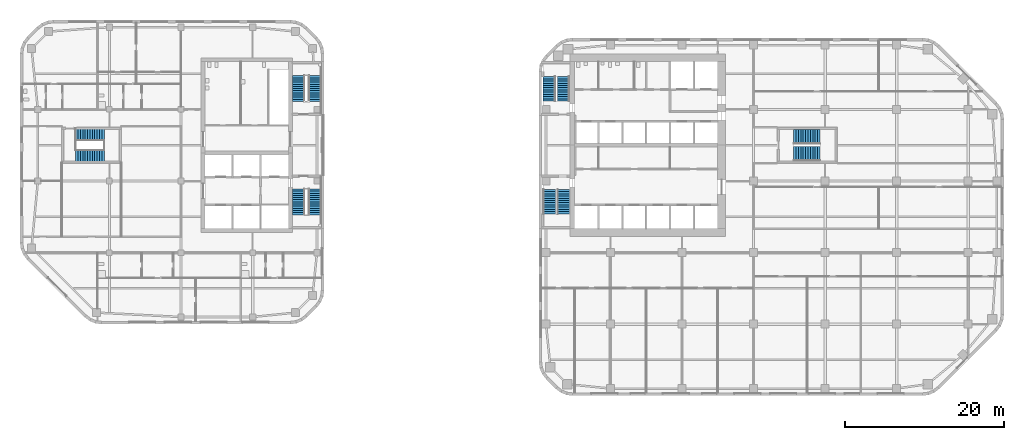
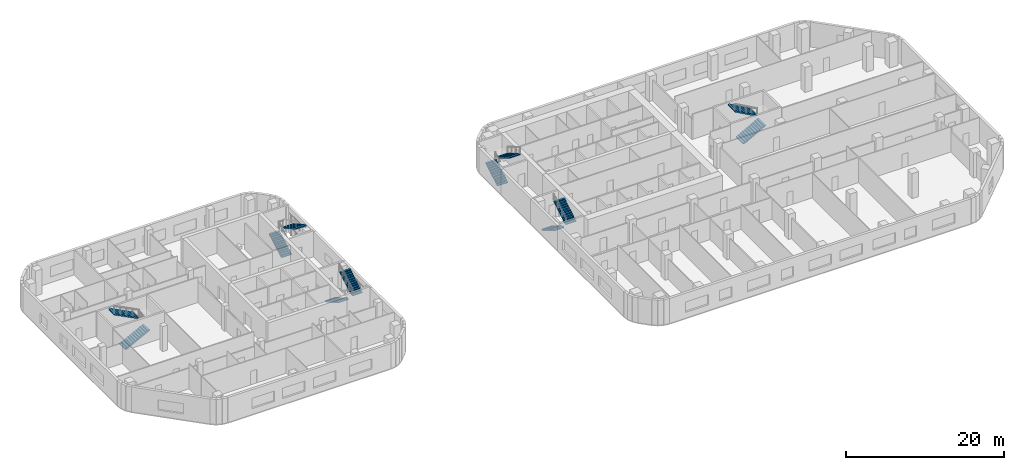
# One storey, part 13 of 16: 12 stair flights, 6 elements without a shape of their own.
"""IFC4 building model written with IfcOpenShell, lengths in metres."""

import ifcopenshell
import ifcopenshell.guid

model = None  # the IFC model being written
_history = None  # IfcOwnerHistory: only IFC2X3 demands one
_inside = {}  # id of a spatial element -> (the spatial element, [elements in it])
_under = {}  # id of a project, library or spatial element -> (it, [spatial elements below it])
_declared = {}  # id of a project -> (the project, [libraries it declares])
_typed = {}  # id of a type object -> (the type object, [elements of that type])
_made_of = {}  # id of a material, layer set ... -> (it, [elements and type objects made of it])


def new_model(schema):
    """Start an empty IFC model of exactly this schema.

    Asked for "IFC4X3", IfcOpenShell would pick the latest addendum, in which some entities
    have other attributes; the version numbers below select the first issue.
    IFC2X3 requires an IfcOwnerHistory on every rooted entity: one is made here for all.
    """
    global model, _history
    if schema == "IFC4X3":
        model = ifcopenshell.file(schema_version=(4, 3, 0, 0))
    else:
        model = ifcopenshell.file(schema=schema)
    _inside.clear()
    _under.clear()
    _declared.clear()
    _typed.clear()
    _made_of.clear()
    _history = None
    if model.schema == "IFC2X3":
        org = make("IfcOrganization", Name="unknown")
        user = make(
            "IfcPersonAndOrganization",
            ThePerson=make("IfcPerson", FamilyName="unknown"),
            TheOrganization=org,
        )
        app = make(
            "IfcApplication",
            ApplicationDeveloper=org,
            Version="unknown",
            ApplicationFullName="unknown",
            ApplicationIdentifier="unknown",
        )
        _history = make(
            "IfcOwnerHistory",
            OwningUser=user,
            OwningApplication=app,
            ChangeAction="ADDED",
            CreationDate=0,
        )
    return model


def make(cls, **values):
    """One entity of the class cls with the attributes given. An attribute that is None is left unset."""
    return model.create_entity(
        cls, **{name: value for name, value in values.items() if value is not None}
    )


def rooted(cls, **values):
    """An entity with a GlobalId (a new one), such as an element, a storey or a relation."""
    return make(cls, GlobalId=ifcopenshell.guid.new(), OwnerHistory=_history, **values)


def si_unit(unit_type, name, prefix=None):
    """IfcSIUnit, for example si_unit("LENGTHUNIT", "METRE", prefix="MILLI")."""
    return make("IfcSIUnit", UnitType=unit_type, Prefix=prefix, Name=name)


def assignment(units):
    """IfcUnitAssignment: the units of a project."""
    return None if units is None else make("IfcUnitAssignment", Units=units)


def point(xyz):
    """IfcCartesianPoint."""
    return None if xyz is None else make("IfcCartesianPoint", Coordinates=xyz)


def direction(xyz):
    """IfcDirection."""
    return None if xyz is None else make("IfcDirection", DirectionRatios=xyz)


def frame(location, z_axis=None, x_axis=None):
    """IfcAxis2Placement3D, a coordinate frame: its origin and axes. An axis left out is left unset."""
    return make(
        "IfcAxis2Placement3D",
        Location=point(location),
        Axis=direction(z_axis),
        RefDirection=direction(x_axis),
    )


def origin():
    """The frame at (0, 0, 0) with its axes left unset."""
    return frame((0.0, 0.0, 0.0))


def place(relative_to, where):
    """IfcLocalPlacement: puts the frame where relative to a parent placement (None: the world)."""
    return make(
        "IfcLocalPlacement", PlacementRelTo=relative_to, RelativePlacement=where
    )


def context(
    kind, dimensions, precision=None, world=None, true_north=None, identifier=None
):
    """IfcGeometricRepresentationContext, for example the 3D "Model" context."""
    return make(
        "IfcGeometricRepresentationContext",
        ContextIdentifier=identifier,
        ContextType=kind,
        CoordinateSpaceDimension=dimensions,
        Precision=precision,
        WorldCoordinateSystem=world,
        TrueNorth=true_north,
    )


def subcontext(parent, identifier, kind, view, scale=None):
    """IfcGeometricRepresentationSubContext, for example "Body" below "Model"."""
    return make(
        "IfcGeometricRepresentationSubContext",
        ContextIdentifier=identifier,
        ContextType=kind,
        ParentContext=parent,
        TargetScale=scale,
        TargetView=view,
    )


def project(units=None, contexts=None):
    """IfcProject with its units and contexts."""
    return rooted(
        "IfcProject",
        Name="project",
        RepresentationContexts=contexts,
        UnitsInContext=assignment(units),
    )


def spatial(cls, under=None, at=None, **own):
    """A site, building, storey or space (cls), placed at a placement, below another one or the project."""
    s = rooted(cls, ObjectPlacement=at, **own)
    if under is not None:
        _under.setdefault(under.id(), (under, []))[1].append(s)
    return s


def polyline(points):
    """IfcPolyline through the points."""
    return make("IfcPolyline", Points=[point(p) for p in points])


def outline(outer, holes=None, kind="AREA"):
    """IfcArbitraryClosedProfileDef: a profile drawn as a closed curve; with holes, ...WithVoids."""
    if holes is None:
        return make("IfcArbitraryClosedProfileDef", ProfileType=kind, OuterCurve=outer)
    return make(
        "IfcArbitraryProfileDefWithVoids",
        ProfileType=kind,
        OuterCurve=outer,
        InnerCurves=holes,
    )


def extrude(swept, where, along, depth):
    """IfcExtrudedAreaSolid: the profile swept, set in the frame where, extruded along a direction by depth."""
    return make(
        "IfcExtrudedAreaSolid",
        SweptArea=swept,
        Position=where,
        ExtrudedDirection=direction(along),
        Depth=depth,
    )


def shape(context_of_items, identifier, shape_type, items):
    """IfcShapeRepresentation: the items that make up one representation, for example the "Body"."""
    return make(
        "IfcShapeRepresentation",
        ContextOfItems=context_of_items,
        RepresentationIdentifier=identifier,
        RepresentationType=shape_type,
        Items=items,
    )


def material(Name=None, Category=None):
    """IfcMaterial."""
    return make("IfcMaterial", Name=Name, Category=Category)


def made_of(thing, what):
    """Note that an element or type object is made of a material, layer set ...; save() writes the relation."""
    if what is not None:
        _made_of.setdefault(what.id(), (what, []))[1].append(thing)
    return thing


def type_object(cls, material=None, **own):
    """A type object (cls), such as IfcWallType, which elements share."""
    return made_of(rooted(cls, **own), material)


def element(
    cls,
    number,
    at=None,
    inside=None,
    cuts=None,
    type_object=None,
    material=None,
    context=None,
    identifier="Body",
    shape_type=None,
    held_by="IfcProductDefinitionShape",
    body=None,
    shapes=None,
    **own,
):
    """One element of the class cls, such as IfcWall. Its Tag is "e" and its number.

    at: its placement. inside: the storey or other place that contains it. cuts: it is an
    opening in that element (IfcRelVoidsElement). A single representation is given by context,
    identifier, shape_type and body (its items); several are given by shapes. held_by: the class
    of the entity that holds the representations. save() writes the other relations.
    """
    e = rooted(cls, Tag="e%d" % number, ObjectPlacement=at, **own)
    if body is not None:
        shapes = [shape(context, identifier, shape_type, body)]
    if shapes is not None:
        e.Representation = make(held_by, Representations=shapes)
    if inside is not None:
        _inside.setdefault(inside.id(), (inside, []))[1].append(e)
    if cuts is not None:
        rooted(
            "IfcRelVoidsElement", RelatingBuildingElement=cuts, RelatedOpeningElement=e
        )
    if type_object is not None:
        _typed.setdefault(type_object.id(), (type_object, []))[1].append(e)
    return made_of(e, material)


def aggregate(whole, parts):
    """IfcRelAggregates: a whole, such as a stair, and the parts it consists of."""
    return rooted("IfcRelAggregates", RelatingObject=whole, RelatedObjects=parts)


def save(model, path):
    """Write the relations noted so far, then the file.

    IfcRelAggregates (storeys below a building ...), IfcRelContainedInSpatialStructure (elements
    in a storey), IfcRelDefinesByType, IfcRelAssociatesMaterial and IfcRelDeclares: one each for
    every whole, place, type object, material and project.
    """
    for whole, parts in _under.values():
        aggregate(whole, parts)
    for where, things in _inside.values():
        rooted(
            "IfcRelContainedInSpatialStructure",
            RelatedElements=things,
            RelatingStructure=where,
        )
    for kind, things in _typed.values():
        rooted("IfcRelDefinesByType", RelatedObjects=things, RelatingType=kind)
    for what, things in _made_of.values():
        rooted("IfcRelAssociatesMaterial", RelatedObjects=things, RelatingMaterial=what)
    for by, libraries in _declared.values():
        rooted("IfcRelDeclares", RelatingContext=by, RelatedDefinitions=libraries)
    model.write(path)


model = new_model("IFC4")

# Units and contexts
model_context = context("Model", 3, precision=1e-05, world=origin(), true_north=direction((0.0, 1.0)))
body_context = subcontext(model_context, "Body", "Model", "MODEL_VIEW")
ifc_project = project(units=[si_unit("LENGTHUNIT", "METRE"), si_unit("AREAUNIT", "SQUARE_METRE"), si_unit("VOLUMEUNIT", "CUBIC_METRE"), si_unit("PLANEANGLEUNIT", "RADIAN"), si_unit("MASSUNIT", "GRAM", prefix="KILO")], contexts=[model_context])

# Site, building, storey
site_placement = place(None, origin())
site = spatial("IfcSite", under=ifc_project, at=site_placement, CompositionType="ELEMENT")
building_placement = place(site_placement, origin())
building = spatial("IfcBuilding", under=site, at=building_placement, Name="Cinnabar Reach Civic Tower", CompositionType="ELEMENT")
storey_placement = place(building_placement, frame((0.0, 0.0, 83.0)))
storey = spatial("IfcBuildingStorey", under=building, at=storey_placement, Name="L19", CompositionType="ELEMENT", Elevation=83.0)

# Stair, stair flights
ifc_material_1 = material(Name="Concrete C40/50", Category="concrete")
stair_type_1 = type_object("IfcStairType", Name="T1 Exit stair, half-turn", PredefinedType="HALF_TURN_STAIR", material=ifc_material_1)
stair_1_placement = place(storey_placement, origin())
stair_1 = element("IfcStair", 1, at=stair_1_placement, inside=storey, type_object=stair_type_1, Name="Stair T1-S1", PredefinedType="HALF_TURN_STAIR")
stair_flight_type_1 = type_object("IfcStairFlightType", Name="T1 Stair flight, concrete", PredefinedType="STRAIGHT", material=ifc_material_1)
stair_flight_1_placement = place(storey_placement, frame((1.3125, 25.95, 0.0), z_axis=(0.0, 0.0, 1.0), x_axis=(0.0, -1.0, 0.0)))
stair_flight_1 = element("IfcStairFlight", 2, at=stair_flight_1_placement, type_object=stair_flight_type_1, Name="T1-S1 flight 1", NumberOfRisers=12, NumberOfTreads=11, PredefinedType="STRAIGHT", RiserHeight=0.166666667, TreadLength=0.28, context=body_context, shape_type="SweptSolid", body=[
    extrude(outline(polyline([(0.0, 0.0), (0.0, 0.1667), (0.28, 0.1667), (0.28, 0.3333), (0.56, 0.3333), (0.56, 0.5), (0.84, 0.5), (0.84, 0.6667), (1.12, 0.6667), (1.12, 0.8333), (1.4, 0.8333), (1.4, 1.0), (1.68, 1.0), (1.68, 1.1667), (1.96, 1.1667), (1.96, 1.3333), (2.24, 1.3333), (2.24, 1.5), (2.52, 1.5), (2.52, 1.6667), (2.8, 1.6667), (2.8, 1.8333), (3.08, 1.8333), (3.08, 2.0), (3.08, 1.6588), (0.2933, 0.0), (0.0, 0.0)])), frame((0.0, 0.7625, 0.0), z_axis=(0.0, -1.0, 0.0), x_axis=(1.0, 0.0, 0.0)), (0.0, 0.0, 1.0), 1.525),
])
stair_flight_2_placement = place(storey_placement, frame((3.0875, 22.87, 2.0), z_axis=(0.0, 0.0, 1.0), x_axis=(0.0, 1.0, 0.0)))
stair_flight_2 = element("IfcStairFlight", 3, at=stair_flight_2_placement, type_object=stair_flight_type_1, Name="T1-S1 flight 2", NumberOfRisers=12, NumberOfTreads=11, PredefinedType="STRAIGHT", RiserHeight=0.166666667, TreadLength=0.28, context=body_context, shape_type="SweptSolid", body=[
    extrude(outline(polyline([(0.0, 0.0), (0.0, 0.1667), (0.28, 0.1667), (0.28, 0.3333), (0.56, 0.3333), (0.56, 0.5), (0.84, 0.5), (0.84, 0.6667), (1.12, 0.6667), (1.12, 0.8333), (1.4, 0.8333), (1.4, 1.0), (1.68, 1.0), (1.68, 1.1667), (1.96, 1.1667), (1.96, 1.3333), (2.24, 1.3333), (2.24, 1.5), (2.52, 1.5), (2.52, 1.6667), (2.8, 1.6667), (2.8, 1.8333), (3.08, 1.8333), (3.08, 2.0), (3.08, 1.6588), (0.2933, 0.0), (0.0, 0.0)])), frame((0.0, 0.7625, 0.0), z_axis=(0.0, -1.0, 0.0), x_axis=(1.0, 0.0, 0.0)), (0.0, 0.0, 1.0), 1.525),
])
aggregate(stair_1, [stair_flight_1, stair_flight_2])

stair_2_placement = place(storey_placement, origin())
stair_2 = element("IfcStair", 4, at=stair_2_placement, inside=storey, type_object=stair_type_1, Name="Stair T1-S2", PredefinedType="HALF_TURN_STAIR")
stair_flight_3_placement = place(storey_placement, frame((1.3125, 37.05, 0.0), z_axis=(0.0, 0.0, 1.0), x_axis=(0.0, 1.0, 0.0)))
stair_flight_3 = element("IfcStairFlight", 5, at=stair_flight_3_placement, type_object=stair_flight_type_1, Name="T1-S2 flight 1", NumberOfRisers=12, NumberOfTreads=11, PredefinedType="STRAIGHT", RiserHeight=0.166666667, TreadLength=0.28, context=body_context, shape_type="SweptSolid", body=[
    extrude(outline(polyline([(0.0, 0.0), (0.0, 0.1667), (0.28, 0.1667), (0.28, 0.3333), (0.56, 0.3333), (0.56, 0.5), (0.84, 0.5), (0.84, 0.6667), (1.12, 0.6667), (1.12, 0.8333), (1.4, 0.8333), (1.4, 1.0), (1.68, 1.0), (1.68, 1.1667), (1.96, 1.1667), (1.96, 1.3333), (2.24, 1.3333), (2.24, 1.5), (2.52, 1.5), (2.52, 1.6667), (2.8, 1.6667), (2.8, 1.8333), (3.08, 1.8333), (3.08, 2.0), (3.08, 1.6588), (0.2933, 0.0), (0.0, 0.0)])), frame((0.0, 0.7625, 0.0), z_axis=(0.0, -1.0, 0.0), x_axis=(1.0, 0.0, 0.0)), (0.0, 0.0, 1.0), 1.525),
])
stair_flight_4_placement = place(storey_placement, frame((3.0875, 40.13, 2.0), z_axis=(0.0, 0.0, 1.0), x_axis=(0.0, -1.0, 0.0)))
stair_flight_4 = element("IfcStairFlight", 6, at=stair_flight_4_placement, type_object=stair_flight_type_1, Name="T1-S2 flight 2", NumberOfRisers=12, NumberOfTreads=11, PredefinedType="STRAIGHT", RiserHeight=0.166666667, TreadLength=0.28, context=body_context, shape_type="SweptSolid", body=[
    extrude(outline(polyline([(0.0, 0.0), (0.0, 0.1667), (0.28, 0.1667), (0.28, 0.3333), (0.56, 0.3333), (0.56, 0.5), (0.84, 0.5), (0.84, 0.6667), (1.12, 0.6667), (1.12, 0.8333), (1.4, 0.8333), (1.4, 1.0), (1.68, 1.0), (1.68, 1.1667), (1.96, 1.1667), (1.96, 1.3333), (2.24, 1.3333), (2.24, 1.5), (2.52, 1.5), (2.52, 1.6667), (2.8, 1.6667), (2.8, 1.8333), (3.08, 1.8333), (3.08, 2.0), (3.08, 1.6588), (0.2933, 0.0), (0.0, 0.0)])), frame((0.0, 0.7625, 0.0), z_axis=(0.0, -1.0, 0.0), x_axis=(1.0, 0.0, 0.0)), (0.0, 0.0, 1.0), 1.525),
])
aggregate(stair_2, [stair_flight_3, stair_flight_4])

stair_3_placement = place(storey_placement, origin())
stair_3 = element("IfcStair", 7, at=stair_3_placement, inside=storey, type_object=stair_type_1, Name="Stair T1-S3", PredefinedType="HALF_TURN_STAIR")
stair_flight_5_placement = place(storey_placement, frame((32.05, 30.45, 0.0), z_axis=(0.0, 0.0, 1.0), x_axis=(1.0, 0.0, 0.0)))
stair_flight_5 = element("IfcStairFlight", 8, at=stair_flight_5_placement, type_object=stair_flight_type_1, Name="T1-S3 flight 1", NumberOfRisers=12, NumberOfTreads=11, PredefinedType="STRAIGHT", RiserHeight=0.166666667, TreadLength=0.3, context=body_context, shape_type="SweptSolid", body=[
    extrude(outline(polyline([(0.0, 0.0), (0.0, 0.1667), (0.3, 0.1667), (0.3, 0.3333), (0.6, 0.3333), (0.6, 0.5), (0.9, 0.5), (0.9, 0.6667), (1.2, 0.6667), (1.2, 0.8333), (1.5, 0.8333), (1.5, 1.0), (1.8, 1.0), (1.8, 1.1667), (2.1, 1.1667), (2.1, 1.3333), (2.4, 1.3333), (2.4, 1.5), (2.7, 1.5), (2.7, 1.6667), (3.0, 1.6667), (3.0, 1.8333), (3.3, 1.8333), (3.3, 2.0), (3.3, 1.6617), (0.3089, 0.0), (0.0, 0.0)])), frame((0.0, 0.9, 0.0), z_axis=(0.0, -1.0, 0.0), x_axis=(1.0, 0.0, 0.0)), (0.0, 0.0, 1.0), 1.8),
])
stair_flight_6_placement = place(storey_placement, frame((35.35, 32.55, 2.0), z_axis=(0.0, 0.0, 1.0), x_axis=(-1.0, 0.0, 0.0)))
stair_flight_6 = element("IfcStairFlight", 9, at=stair_flight_6_placement, type_object=stair_flight_type_1, Name="T1-S3 flight 2", NumberOfRisers=12, NumberOfTreads=11, PredefinedType="STRAIGHT", RiserHeight=0.166666667, TreadLength=0.3, context=body_context, shape_type="SweptSolid", body=[
    extrude(outline(polyline([(0.0, 0.0), (0.0, 0.1667), (0.3, 0.1667), (0.3, 0.3333), (0.6, 0.3333), (0.6, 0.5), (0.9, 0.5), (0.9, 0.6667), (1.2, 0.6667), (1.2, 0.8333), (1.5, 0.8333), (1.5, 1.0), (1.8, 1.0), (1.8, 1.1667), (2.1, 1.1667), (2.1, 1.3333), (2.4, 1.3333), (2.4, 1.5), (2.7, 1.5), (2.7, 1.6667), (3.0, 1.6667), (3.0, 1.8333), (3.3, 1.8333), (3.3, 2.0), (3.3, 1.6617), (0.3089, 0.0), (0.0, 0.0)])), frame((0.0, 0.9, 0.0), z_axis=(0.0, -1.0, 0.0), x_axis=(1.0, 0.0, 0.0)), (0.0, 0.0, 1.0), 1.8),
])
aggregate(stair_3, [stair_flight_5, stair_flight_6])

ifc_material_2 = material(Name="Concrete C40", Category="concrete")
stair_type_2 = type_object("IfcStairType", Name="T2 Exit stair 1500", PredefinedType="HALF_TURN_STAIR", material=ifc_material_2)
stair_4_placement = place(storey_placement, origin())
stair_4 = element("IfcStair", 10, at=stair_4_placement, inside=storey, type_object=stair_type_2, Name="Exit stair 1", PredefinedType="HALF_TURN_STAIR")
stair_flight_type_2 = type_object("IfcStairFlightType", Name="T2 Stair flight 1500", PredefinedType="STRAIGHT", material=ifc_material_2)
stair_flight_7_placement = place(storey_placement, frame((-30.25, 26.0, 0.0), z_axis=(0.0, 0.0, 1.0), x_axis=(0.0, -1.0, 0.0)))
stair_flight_7 = element("IfcStairFlight", 11, at=stair_flight_7_placement, type_object=stair_flight_type_2, Name="ST1 flight 1", NumberOfRisers=13, NumberOfTreads=12, PredefinedType="STRAIGHT", RiserHeight=0.153846154, TreadLength=0.270833333, context=body_context, shape_type="SweptSolid", body=[
    extrude(outline(polyline([(0.0, 0.0), (0.0, 0.1538), (0.2708, 0.1538), (0.2708, 0.3077), (0.5417, 0.3077), (0.5417, 0.4615), (0.8125, 0.4615), (0.8125, 0.6154), (1.0833, 0.6154), (1.0833, 0.7692), (1.3542, 0.7692), (1.3542, 0.9231), (1.625, 0.9231), (1.625, 1.0769), (1.8958, 1.0769), (1.8958, 1.2308), (2.1667, 1.2308), (2.1667, 1.3846), (2.4375, 1.3846), (2.4375, 1.5385), (2.7083, 1.5385), (2.7083, 1.6923), (2.9792, 1.6923), (2.9792, 1.8462), (3.25, 1.8462), (3.25, 2.0), (3.25, 1.6736), (0.3037, 0.0), (0.0, 0.0)])), frame((0.0, 0.75, 0.0), z_axis=(0.0, -1.0, 0.0), x_axis=(1.0, 0.0, 0.0)), (0.0, 0.0, 1.0), 1.5),
])
stair_flight_8_placement = place(storey_placement, frame((-28.15, 22.75, 2.0), z_axis=(0.0, 0.0, 1.0), x_axis=(0.0, 1.0, 0.0)))
stair_flight_8 = element("IfcStairFlight", 12, at=stair_flight_8_placement, type_object=stair_flight_type_2, Name="ST1 flight 2", NumberOfRisers=13, NumberOfTreads=12, PredefinedType="STRAIGHT", RiserHeight=0.153846154, TreadLength=0.270833333, context=body_context, shape_type="SweptSolid", body=[
    extrude(outline(polyline([(0.0, 0.0), (0.0, 0.1538), (0.2708, 0.1538), (0.2708, 0.3077), (0.5417, 0.3077), (0.5417, 0.4615), (0.8125, 0.4615), (0.8125, 0.6154), (1.0833, 0.6154), (1.0833, 0.7692), (1.3542, 0.7692), (1.3542, 0.9231), (1.625, 0.9231), (1.625, 1.0769), (1.8958, 1.0769), (1.8958, 1.2308), (2.1667, 1.2308), (2.1667, 1.3846), (2.4375, 1.3846), (2.4375, 1.5385), (2.7083, 1.5385), (2.7083, 1.6923), (2.9792, 1.6923), (2.9792, 1.8462), (3.25, 1.8462), (3.25, 2.0), (3.25, 1.6736), (0.3037, 0.0), (0.0, 0.0)])), frame((0.0, 0.75, 0.0), z_axis=(0.0, -1.0, 0.0), x_axis=(1.0, 0.0, 0.0)), (0.0, 0.0, 1.0), 1.5),
])
aggregate(stair_4, [stair_flight_7, stair_flight_8])

stair_5_placement = place(storey_placement, origin())
stair_5 = element("IfcStair", 13, at=stair_5_placement, inside=storey, type_object=stair_type_2, Name="Exit stair 2", PredefinedType="HALF_TURN_STAIR")
stair_flight_9_placement = place(storey_placement, frame((-30.25, 37.0, 0.0), z_axis=(0.0, 0.0, 1.0), x_axis=(0.0, 1.0, 0.0)))
stair_flight_9 = element("IfcStairFlight", 14, at=stair_flight_9_placement, type_object=stair_flight_type_2, Name="ST2 flight 1", NumberOfRisers=13, NumberOfTreads=12, PredefinedType="STRAIGHT", RiserHeight=0.153846154, TreadLength=0.270833333, context=body_context, shape_type="SweptSolid", body=[
    extrude(outline(polyline([(0.0, 0.0), (0.0, 0.1538), (0.2708, 0.1538), (0.2708, 0.3077), (0.5417, 0.3077), (0.5417, 0.4615), (0.8125, 0.4615), (0.8125, 0.6154), (1.0833, 0.6154), (1.0833, 0.7692), (1.3542, 0.7692), (1.3542, 0.9231), (1.625, 0.9231), (1.625, 1.0769), (1.8958, 1.0769), (1.8958, 1.2308), (2.1667, 1.2308), (2.1667, 1.3846), (2.4375, 1.3846), (2.4375, 1.5385), (2.7083, 1.5385), (2.7083, 1.6923), (2.9792, 1.6923), (2.9792, 1.8462), (3.25, 1.8462), (3.25, 2.0), (3.25, 1.6736), (0.3037, 0.0), (0.0, 0.0)])), frame((0.0, 0.75, 0.0), z_axis=(0.0, -1.0, 0.0), x_axis=(1.0, 0.0, 0.0)), (0.0, 0.0, 1.0), 1.5),
])
stair_flight_10_placement = place(storey_placement, frame((-28.15, 40.25, 2.0), z_axis=(0.0, 0.0, 1.0), x_axis=(0.0, -1.0, 0.0)))
stair_flight_10 = element("IfcStairFlight", 15, at=stair_flight_10_placement, type_object=stair_flight_type_2, Name="ST2 flight 2", NumberOfRisers=13, NumberOfTreads=12, PredefinedType="STRAIGHT", RiserHeight=0.153846154, TreadLength=0.270833333, context=body_context, shape_type="SweptSolid", body=[
    extrude(outline(polyline([(0.0, 0.0), (0.0, 0.1538), (0.2708, 0.1538), (0.2708, 0.3077), (0.5417, 0.3077), (0.5417, 0.4615), (0.8125, 0.4615), (0.8125, 0.6154), (1.0833, 0.6154), (1.0833, 0.7692), (1.3542, 0.7692), (1.3542, 0.9231), (1.625, 0.9231), (1.625, 1.0769), (1.8958, 1.0769), (1.8958, 1.2308), (2.1667, 1.2308), (2.1667, 1.3846), (2.4375, 1.3846), (2.4375, 1.5385), (2.7083, 1.5385), (2.7083, 1.6923), (2.9792, 1.6923), (2.9792, 1.8462), (3.25, 1.8462), (3.25, 2.0), (3.25, 1.6736), (0.3037, 0.0), (0.0, 0.0)])), frame((0.0, 0.75, 0.0), z_axis=(0.0, -1.0, 0.0), x_axis=(1.0, 0.0, 0.0)), (0.0, 0.0, 1.0), 1.5),
])
aggregate(stair_5, [stair_flight_9, stair_flight_10])

stair_6_placement = place(storey_placement, origin())
stair_6 = element("IfcStair", 16, at=stair_6_placement, inside=storey, type_object=stair_type_2, Name="Exit stair 3", PredefinedType="HALF_TURN_STAIR")
stair_flight_11_placement = place(storey_placement, frame((-58.25, 30.125, 0.0), z_axis=(0.0, 0.0, 1.0), x_axis=(1.0, 0.0, 0.0)))
stair_flight_11 = element("IfcStairFlight", 17, at=stair_flight_11_placement, type_object=stair_flight_type_2, Name="ST3 flight 1", NumberOfRisers=13, NumberOfTreads=12, PredefinedType="STRAIGHT", RiserHeight=0.153846154, TreadLength=0.3, context=body_context, shape_type="SweptSolid", body=[
    extrude(outline(polyline([(0.0, 0.0), (0.0, 0.1538), (0.3, 0.1538), (0.3, 0.3077), (0.6, 0.3077), (0.6, 0.4615), (0.9, 0.4615), (0.9, 0.6154), (1.2, 0.6154), (1.2, 0.7692), (1.5, 0.7692), (1.5, 0.9231), (1.8, 0.9231), (1.8, 1.0769), (2.1, 1.0769), (2.1, 1.2308), (2.4, 1.2308), (2.4, 1.3846), (2.7, 1.3846), (2.7, 1.5385), (3.0, 1.5385), (3.0, 1.6923), (3.3, 1.6923), (3.3, 1.8462), (3.6, 1.8462), (3.6, 2.0), (3.6, 1.6776), (0.3287, 0.0), (0.0, 0.0)])), frame((0.0, 0.75, 0.0), z_axis=(0.0, -1.0, 0.0), x_axis=(1.0, 0.0, 0.0)), (0.0, 0.0, 1.0), 1.5),
])
stair_flight_12_placement = place(storey_placement, frame((-54.65, 32.875, 2.0), z_axis=(0.0, 0.0, 1.0), x_axis=(-1.0, 0.0, 0.0)))
stair_flight_12 = element("IfcStairFlight", 18, at=stair_flight_12_placement, type_object=stair_flight_type_2, Name="ST3 flight 2", NumberOfRisers=13, NumberOfTreads=12, PredefinedType="STRAIGHT", RiserHeight=0.153846154, TreadLength=0.3, context=body_context, shape_type="SweptSolid", body=[
    extrude(outline(polyline([(0.0, 0.0), (0.0, 0.1538), (0.3, 0.1538), (0.3, 0.3077), (0.6, 0.3077), (0.6, 0.4615), (0.9, 0.4615), (0.9, 0.6154), (1.2, 0.6154), (1.2, 0.7692), (1.5, 0.7692), (1.5, 0.9231), (1.8, 0.9231), (1.8, 1.0769), (2.1, 1.0769), (2.1, 1.2308), (2.4, 1.2308), (2.4, 1.3846), (2.7, 1.3846), (2.7, 1.5385), (3.0, 1.5385), (3.0, 1.6923), (3.3, 1.6923), (3.3, 1.8462), (3.6, 1.8462), (3.6, 2.0), (3.6, 1.6776), (0.3287, 0.0), (0.0, 0.0)])), frame((0.0, 0.75, 0.0), z_axis=(0.0, -1.0, 0.0), x_axis=(1.0, 0.0, 0.0)), (0.0, 0.0, 1.0), 1.5),
])
aggregate(stair_6, [stair_flight_11, stair_flight_12])

save(model, "model.ifc")
